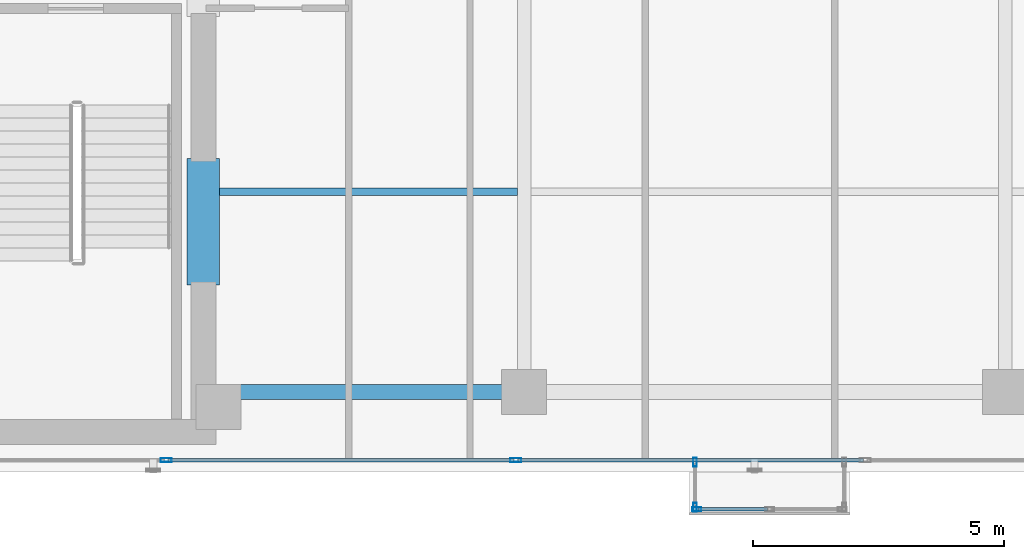
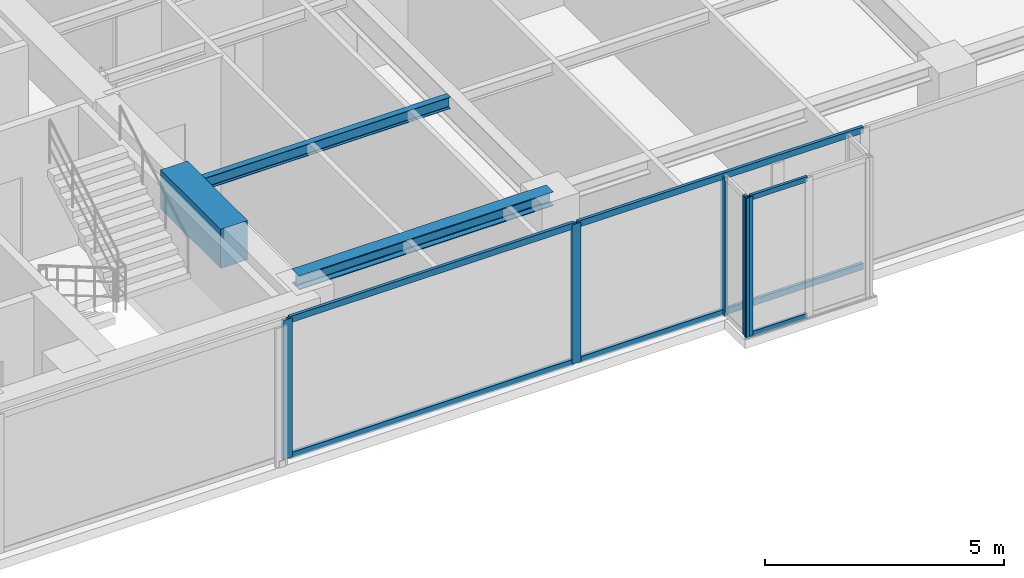
# One storey, part 4 of 23: 11 members, 3 beams, 3 elements without a shape of their own.
"""IFC4 building model written with IfcOpenShell, lengths in metres."""

from ifc_helpers import new_model, si_unit, direction, frame, origin, origin_with_axes, origin_2d, place, context, subcontext, project, spatial, rectangle, hollow_rectangle, i_section, extrude, source, transform, mapped, material, layer, layer_set, material_profile, profile_set, type_object, element, aggregate, save


model = new_model("IFC4")

# Units and contexts
model_context = context("Model", 3, precision=1e-05, world=origin(), true_north=direction((0.0, 1.0)))
body_context = subcontext(model_context, "Body", "Model", "MODEL_VIEW")
ifc_project = project(units=[si_unit("LENGTHUNIT", "METRE"), si_unit("AREAUNIT", "SQUARE_METRE"), si_unit("VOLUMEUNIT", "CUBIC_METRE"), si_unit("PLANEANGLEUNIT", "RADIAN"), si_unit("MASSUNIT", "GRAM", prefix="KILO")], contexts=[model_context])

# Site, building, storey
site_placement = place(None, origin())
site = spatial("IfcSite", under=ifc_project, at=site_placement, CompositionType="ELEMENT")
building_placement = place(site_placement, origin())
building = spatial("IfcBuilding", under=site, at=building_placement, Name="Kolvaren Waterfront Exchange", CompositionType="ELEMENT")
storey_placement = place(building_placement, frame((0.0, 0.0, 297.0)))
storey = spatial("IfcBuildingStorey", under=building, at=storey_placement, Name="L76", CompositionType="ELEMENT", Elevation=297.0)

# Beams
ifc_material_1 = material(Name="Steel S355", Category="steel")
ifc_material_profile_1 = material_profile(ifc_material_1, i_section(OverallWidth=0.300048828125, OverallDepth=0.360107421875, WebThickness=0.012451171875, FlangeThickness=0.0224609375, FilletRadius=0.027099609375, at=origin_2d()), Name="HEB360")
ifc_profile_set_1 = profile_set([ifc_material_profile_1], Name="Steel S355")
beam_type_1 = type_object("IfcBeamType", Name="STR-BM-HEB360", PredefinedType="SPANDREL", material=ifc_profile_set_1)
beam_1_placement = place(storey_placement, frame((21.050048828125, 5.199951171875, 3.3798828125), z_axis=(1.0, 0.0, 0.0), x_axis=(0.0, 1.0, 0.0)))
element("IfcBeam", 1, at=beam_1_placement, inside=storey, type_object=beam_type_1, Name="L76 east-arm spandrel S1", PredefinedType="SPANDREL", context=body_context, shape_type="SweptSolid", body=[
    extrude(i_section(OverallWidth=0.300048828125, OverallDepth=0.360107421875, WebThickness=0.012451171875, FlangeThickness=0.0224609375, FilletRadius=0.027099609375, at=origin_2d()), origin(), (0.0, 0.0, 1.0), 6.14990234375),
])
ifc_material_profile_2 = material_profile(ifc_material_1, i_section(OverallWidth=0.14990234375, OverallDepth=0.300048828125, WebThickness=0.007080078125, FlangeThickness=0.0107421875, FilletRadius=0.014892578125, at=origin_2d()), Name="IPE300")
ifc_profile_set_2 = profile_set([ifc_material_profile_2], Name="Steel S355")
beam_type_2 = type_object("IfcBeamType", Name="STR-BM-IPE300", PredefinedType="JOIST", material=ifc_profile_set_2)
beam_2_placement = place(storey_placement, frame((21.10009765625, 9.199951171875, 3.409912109375), z_axis=(1.0, 0.0, 0.0), x_axis=(0.0, 1.0, 0.0)))
element("IfcBeam", 2, at=beam_2_placement, inside=storey, type_object=beam_type_2, Name="L76 east-arm composite joist 1B", PredefinedType="JOIST", context=body_context, shape_type="SweptSolid", body=[
    extrude(i_section(OverallWidth=0.14990234375, OverallDepth=0.300048828125, WebThickness=0.007080078125, FlangeThickness=0.0107421875, FilletRadius=0.014892578125, at=origin_2d()), origin(), (0.0, 0.0, 1.0), 5.96435546875),
])
ifc_material_2 = material(Name="Concrete C60/75", Category="concrete")
ifc_material_profile_3 = material_profile(ifc_material_2, rectangle(XDim=0.64990234375, YDim=1.0, at=origin_2d()), Name="RC-CB-1000x650")
ifc_profile_set_3 = profile_set([ifc_material_profile_3], Name="Concrete C60/75")
beam_type_3 = type_object("IfcBeamType", Name="STR-CB-1000", PredefinedType="SPANDREL", material=ifc_profile_set_3)
beam_3_placement = place(storey_placement, frame((20.800048828125, 7.340087890625, 3.06005859375), z_axis=(0.0, 1.0, 0.0), x_axis=(-1.0, 0.0, 0.0)))
element("IfcBeam", 3, at=beam_3_placement, inside=storey, type_object=beam_type_3, Name="L76 core coupling beam 1", PredefinedType="SPANDREL", context=body_context, shape_type="SweptSolid", body=[
    extrude(rectangle(XDim=0.64990234375, YDim=1.0, at=origin_2d()), origin(), (0.0, 0.0, 1.0), 2.52001953125),
])

# Curtain wall, members
ifc_material_3 = material(Name="Anodised bronze aluminium 6063-T6", Category="aluminium")
ifc_layer_1 = layer(ifc_material_3, 0.219970703125, Name="Anodised bronze aluminium 6063-T6")
ifc_layer_set_1 = layer_set([ifc_layer_1], Name="Anodised bronze aluminium 6063-T6")
curtain_wall_type_1 = type_object("IfcCurtainWallType", Name="ARC-CW-SYS3", PredefinedType="USERDEFINED", material=ifc_layer_set_1)
curtain_wall_1_placement = place(storey_placement, origin())
curtain_wall_1 = element("IfcCurtainWall", 4, at=curtain_wall_1_placement, inside=storey, type_object=curtain_wall_type_1, Name="L76 stick curtain wall CW3 (CW-L76-BOX)", ObjectType="STICK CURTAIN WALL", PredefinedType="USERDEFINED")
ifc_material_profile_4 = material_profile(ifc_material_3, hollow_rectangle(XDim=0.06494140625, YDim=0.1298828125, WallThickness=0.00390625, at=origin_2d()), Name="ALU-TRN-130x65x4")
ifc_profile_set_4 = profile_set([ifc_material_profile_4], Name="Anodised bronze aluminium 6063-T6")
member_type_1 = type_object("IfcMemberType", Name="ARC-CWT-130", PredefinedType="USERDEFINED", material=ifc_profile_set_4)
shared_shape_1 = source(origin_with_axes(), body_context, "Body", "SweptSolid", [
    extrude(hollow_rectangle(XDim=0.06494140625, YDim=0.1298828125, WallThickness=0.00390625, at=origin_2d()), origin(), (0.0, 0.0, 1.0), 1.37744140625),
])
member_1_placement = place(storey_placement, frame((30.68505859375, 2.860107421875, 0.032470703125), z_axis=(1.0, 0.0, 0.0), x_axis=(0.0, 1.0, 0.0)))
member_1 = element("IfcMember", 5, at=member_1_placement, type_object=member_type_1, Name="CW3 transom 1.1", ObjectType="TRANSOM", PredefinedType="USERDEFINED", context=body_context, shape_type="MappedRepresentation", body=[
    mapped(shared_shape_1, transform((0.0, 0.0, 0.0), x_axis=(1.0, 0.0, 0.0), y_axis=(0.0, 1.0, 0.0), z_axis=(0.0, 0.0, 1.0), scale=1.0)),
])
member_2_placement = place(storey_placement, frame((30.68505859375, 2.860107421875, 3.527587890625), z_axis=(1.0, 0.0, 0.0), x_axis=(0.0, 1.0, 0.0)))
member_2 = element("IfcMember", 6, at=member_2_placement, type_object=member_type_1, Name="CW3 transom 1.2", ObjectType="TRANSOM", PredefinedType="USERDEFINED", context=body_context, shape_type="MappedRepresentation", body=[
    mapped(shared_shape_1, transform((0.0, 0.0, 0.0), x_axis=(1.0, 0.0, 0.0), y_axis=(0.0, 1.0, 0.0), z_axis=(0.0, 0.0, 1.0), scale=1.0)),
])

curtain_wall_2_placement = place(storey_placement, origin())
curtain_wall_2 = element("IfcCurtainWall", 7, at=curtain_wall_2_placement, inside=storey, type_object=curtain_wall_type_1, Name="L76 stick curtain wall CW3 (CW-L76-BOX-W)", ObjectType="STICK CURTAIN WALL", PredefinedType="USERDEFINED")
ifc_material_profile_5 = material_profile(ifc_material_3, hollow_rectangle(XDim=0.074951171875, YDim=0.179931640625, WallThickness=0.00439453125, at=origin_2d()), Name="ALU-MUL-180x75x4.5")
ifc_profile_set_5 = profile_set([ifc_material_profile_5], Name="Anodised bronze aluminium 6063-T6")
member_type_2 = type_object("IfcMemberType", Name="ARC-CWM-180", PredefinedType="MULLION", material=ifc_profile_set_5)
shared_shape_2 = source(origin_with_axes(), body_context, "Body", "SweptSolid", [
    extrude(hollow_rectangle(XDim=0.074951171875, YDim=0.179931640625, WallThickness=0.00439453125, at=origin_2d()), origin(), (0.0, 0.0, 1.0), 3.56005859375),
])
member_3_placement = place(storey_placement, frame((30.610107421875, 3.802490234375, 0.0), z_axis=(0.0, 0.0, 1.0), x_axis=(1.0, 0.0, 0.0)))
member_3 = element("IfcMember", 8, at=member_3_placement, type_object=member_type_2, Name="CW3 mullion 1", PredefinedType="MULLION", context=body_context, shape_type="MappedRepresentation", body=[
    mapped(shared_shape_2, transform((0.0, 0.0, 0.0), x_axis=(1.0, 0.0, 0.0), y_axis=(0.0, 1.0, 0.0), z_axis=(0.0, 0.0, 1.0), scale=1.0)),
])
member_4_placement = place(storey_placement, frame((30.610107421875, 2.8974609375, 0.0), z_axis=(0.0, 0.0, 1.0), x_axis=(1.0, 0.0, 0.0)))
member_4 = element("IfcMember", 9, at=member_4_placement, type_object=member_type_2, Name="CW3 mullion 2", PredefinedType="MULLION", context=body_context, shape_type="MappedRepresentation", body=[
    mapped(shared_shape_2, transform((0.0, 0.0, 0.0), x_axis=(1.0, 0.0, 0.0), y_axis=(0.0, 1.0, 0.0), z_axis=(0.0, 0.0, 1.0), scale=1.0)),
])
aggregate(curtain_wall_2, [member_3, member_4])

# Member
member_5_placement = place(storey_placement, frame((30.6474609375, 2.860107421875, 0.0), z_axis=(0.0, 0.0, 1.0), x_axis=(0.0, 1.0, 0.0)))
member_5 = element("IfcMember", 10, at=member_5_placement, type_object=member_type_2, Name="CW3 mullion 1", PredefinedType="MULLION", context=body_context, shape_type="MappedRepresentation", body=[
    mapped(shared_shape_2, transform((0.0, 0.0, 0.0), x_axis=(1.0, 0.0, 0.0), y_axis=(0.0, 1.0, 0.0), z_axis=(0.0, 0.0, 1.0), scale=1.0)),
])

aggregate(curtain_wall_1, [member_5, member_1, member_2])

# Curtain wall, members
ifc_layer_2 = layer(ifc_material_3, 0.219970703125, Name="Anodised bronze aluminium 6063-T6")
ifc_layer_set_2 = layer_set([ifc_layer_2], Name="Anodised bronze aluminium 6063-T6")
curtain_wall_type_2 = type_object("IfcCurtainWallType", Name="ARC-CW-SYS1", PredefinedType="USERDEFINED", material=ifc_layer_set_2)
curtain_wall_3_placement = place(storey_placement, origin())
curtain_wall_3 = element("IfcCurtainWall", 11, at=curtain_wall_3_placement, inside=storey, type_object=curtain_wall_type_2, Name="L76 stick curtain wall CW1 (CW-L76-S)", ObjectType="STICK CURTAIN WALL", PredefinedType="USERDEFINED")
ifc_material_4 = material(Name="Anodised aluminium 6063-T6", Category="aluminium")
ifc_material_profile_6 = material_profile(ifc_material_4, hollow_rectangle(XDim=0.080078125, YDim=0.219970703125, WallThickness=0.0048828125, at=origin_2d()), Name="ALU-MUL-220x80x5")
ifc_profile_set_6 = profile_set([ifc_material_profile_6], Name="Anodised aluminium 6063-T6")
member_type_3 = type_object("IfcMemberType", Name="ARC-CWM-220", PredefinedType="MULLION", material=ifc_profile_set_6)
shared_shape_3 = source(origin_with_axes(), body_context, "Body", "SweptSolid", [
    extrude(hollow_rectangle(XDim=0.080078125, YDim=0.219970703125, WallThickness=0.0048828125, at=origin_2d()), origin(), (0.0, 0.0, 1.0), 3.56005859375),
])
member_6_placement = place(storey_placement, frame((20.05615234375, 3.840087890625, 0.0), z_axis=(0.0, 0.0, 1.0), x_axis=(0.0, 1.0, 0.0)))
member_6 = element("IfcMember", 12, at=member_6_placement, type_object=member_type_3, Name="CW1 mullion 3", PredefinedType="MULLION", context=body_context, shape_type="MappedRepresentation", body=[
    mapped(shared_shape_3, transform((0.0, 0.0, 0.0), x_axis=(1.0, 0.0, 0.0), y_axis=(0.0, 1.0, 0.0), z_axis=(0.0, 0.0, 1.0), scale=1.0)),
])
member_7_placement = place(storey_placement, frame((27.0341796875, 3.840087890625, 0.0), z_axis=(0.0, 0.0, 1.0), x_axis=(0.0, 1.0, 0.0)))
member_7 = element("IfcMember", 13, at=member_7_placement, type_object=member_type_3, Name="CW1 mullion 4", PredefinedType="MULLION", context=body_context, shape_type="MappedRepresentation", body=[
    mapped(shared_shape_3, transform((0.0, 0.0, 0.0), x_axis=(1.0, 0.0, 0.0), y_axis=(0.0, 1.0, 0.0), z_axis=(0.0, 0.0, 1.0), scale=1.0)),
])
ifc_material_profile_7 = material_profile(ifc_material_4, hollow_rectangle(XDim=0.074951171875, YDim=0.159912109375, WallThickness=0.00439453125, at=origin_2d()), Name="ALU-TRN-160x75x4.5")
ifc_profile_set_7 = profile_set([ifc_material_profile_7], Name="Anodised aluminium 6063-T6")
member_type_4 = type_object("IfcMemberType", Name="ARC-CWT-160", PredefinedType="USERDEFINED", material=ifc_profile_set_7)
shared_shape_4 = source(origin_with_axes(), body_context, "Body", "SweptSolid", [
    extrude(hollow_rectangle(XDim=0.074951171875, YDim=0.159912109375, WallThickness=0.00439453125, at=origin_2d()), origin(), (0.0, 0.0, 1.0), 6.89794921875),
])
member_8_placement = place(storey_placement, frame((20.09619140625, 3.840087890625, 0.03759765625), z_axis=(1.0, 0.0, 0.0), x_axis=(0.0, 1.0, 0.0)))
member_8 = element("IfcMember", 14, at=member_8_placement, type_object=member_type_4, Name="CW1 transom 3.1", ObjectType="TRANSOM", PredefinedType="USERDEFINED", context=body_context, shape_type="MappedRepresentation", body=[
    mapped(shared_shape_4, transform((0.0, 0.0, 0.0), x_axis=(1.0, 0.0, 0.0), y_axis=(0.0, 1.0, 0.0), z_axis=(0.0, 0.0, 1.0), scale=1.0)),
])
member_9_placement = place(storey_placement, frame((20.09619140625, 3.840087890625, 3.5224609375), z_axis=(1.0, 0.0, 0.0), x_axis=(0.0, 1.0, 0.0)))
member_9 = element("IfcMember", 15, at=member_9_placement, type_object=member_type_4, Name="CW1 transom 3.2", ObjectType="TRANSOM", PredefinedType="USERDEFINED", context=body_context, shape_type="MappedRepresentation", body=[
    mapped(shared_shape_4, transform((0.0, 0.0, 0.0), x_axis=(1.0, 0.0, 0.0), y_axis=(0.0, 1.0, 0.0), z_axis=(0.0, 0.0, 1.0), scale=1.0)),
])
member_10_placement = place(storey_placement, frame((27.07421875, 3.840087890625, 0.03759765625), z_axis=(1.0, 0.0, 0.0), x_axis=(0.0, 1.0, 0.0)))
member_10 = element("IfcMember", 16, at=member_10_placement, type_object=member_type_4, Name="CW1 transom 4.1", ObjectType="TRANSOM", PredefinedType="USERDEFINED", context=body_context, shape_type="MappedRepresentation", body=[
    mapped(shared_shape_4, transform((0.0, 0.0, 0.0), x_axis=(1.0, 0.0, 0.0), y_axis=(0.0, 1.0, 0.0), z_axis=(0.0, 0.0, 1.0), scale=1.0)),
])
member_11_placement = place(storey_placement, frame((27.07421875, 3.840087890625, 3.5224609375), z_axis=(1.0, 0.0, 0.0), x_axis=(0.0, 1.0, 0.0)))
member_11 = element("IfcMember", 17, at=member_11_placement, type_object=member_type_4, Name="CW1 transom 4.2", ObjectType="TRANSOM", PredefinedType="USERDEFINED", context=body_context, shape_type="MappedRepresentation", body=[
    mapped(shared_shape_4, transform((0.0, 0.0, 0.0), x_axis=(1.0, 0.0, 0.0), y_axis=(0.0, 1.0, 0.0), z_axis=(0.0, 0.0, 1.0), scale=1.0)),
])
aggregate(curtain_wall_3, [member_6, member_7, member_8, member_9, member_10, member_11])

save(model, "model.ifc")
